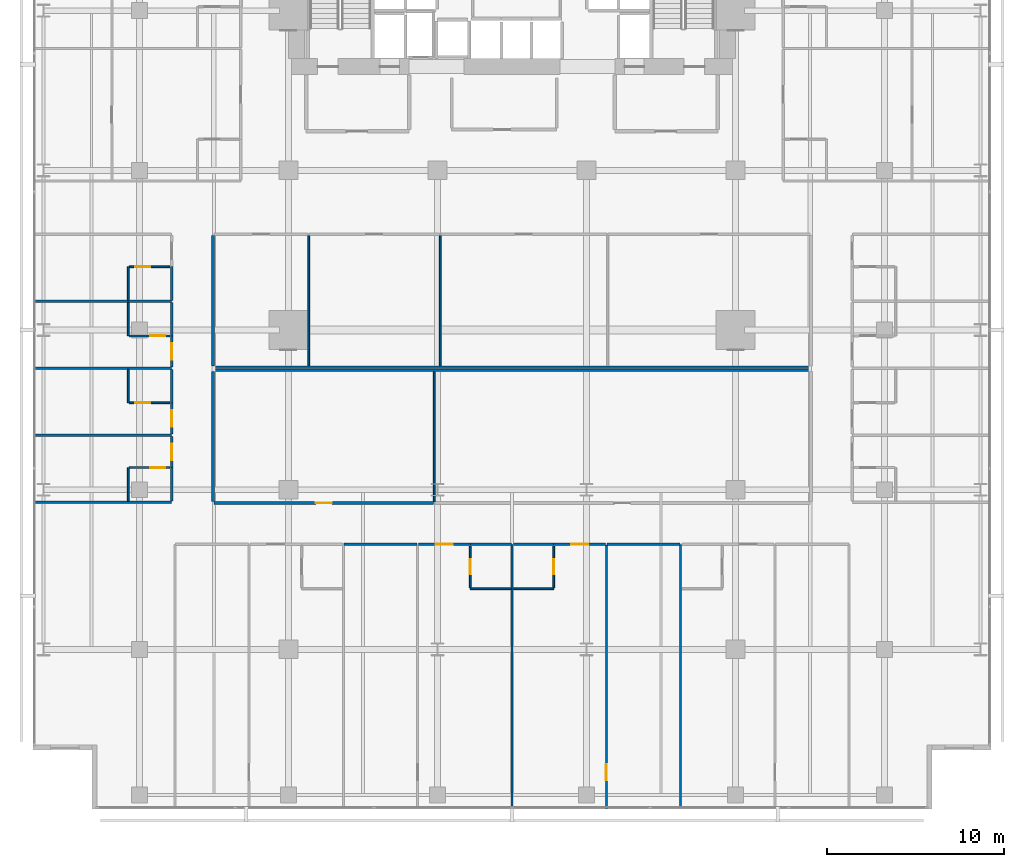
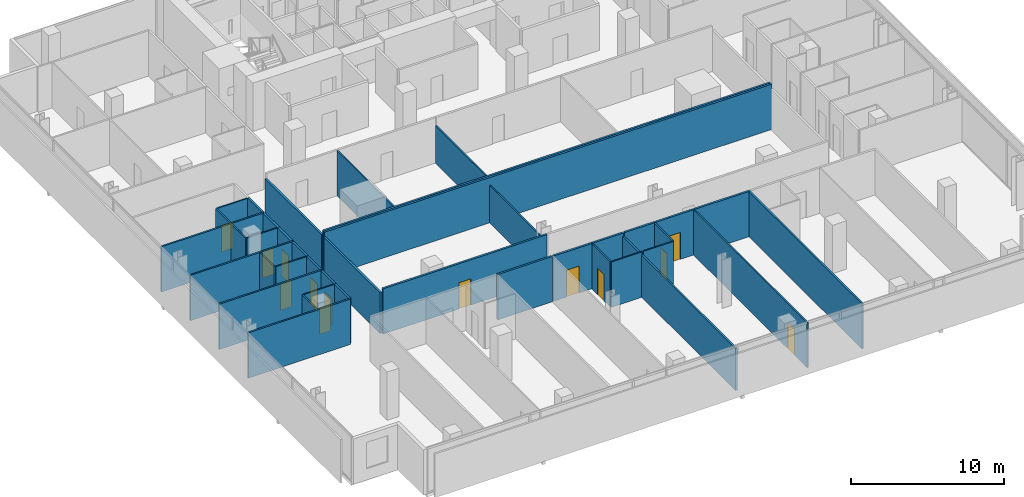
# One storey, part 33 of 40: 40 walls, 13 doors, 13 openings.
"""IFC4 building model written with IfcOpenShell, lengths in metres."""

from ifc_helpers import new_model, si_unit, direction, frame, frame_2d, origin, place, context, subcontext, project, spatial, rectangle, extrude, material, layer, layer_set, type_object, element, fill, save


model = new_model("IFC4")

# Units and contexts
model_context = context("Model", 3, precision=1e-05, world=origin(), true_north=direction((0.0, 1.0)))
body_context = subcontext(model_context, "Body", "Model", "MODEL_VIEW")
ifc_project = project(units=[si_unit("LENGTHUNIT", "METRE"), si_unit("AREAUNIT", "SQUARE_METRE"), si_unit("VOLUMEUNIT", "CUBIC_METRE"), si_unit("PLANEANGLEUNIT", "RADIAN"), si_unit("MASSUNIT", "GRAM", prefix="KILO")], contexts=[model_context])

# Site, building, storey
site_placement = place(None, origin())
site = spatial("IfcSite", under=ifc_project, at=site_placement, CompositionType="ELEMENT")
building_placement = place(site_placement, origin())
building = spatial("IfcBuilding", under=site, at=building_placement, Name="Maruvema Waterfront Hotel and Observation Tower", CompositionType="ELEMENT")
storey_placement = place(building_placement, frame((0.0, 0.0, 100.10009765625)))
storey = spatial("IfcBuildingStorey", under=building, at=storey_placement, Name="L24", CompositionType="ELEMENT", Elevation=100.10009765625)

# Walls
ifc_material_1 = material(Name="Twin-stud acoustic gypsum drywall", Category="gypsum")
ifc_layer_1 = layer(ifc_material_1, 0.14990234375, Name="Acoustic Corridor and Suite Demising Wall 150 mm")
ifc_layer_set_1 = layer_set([ifc_layer_1], Name="Twin-stud acoustic gypsum drywall")
wall_type_1 = type_object("IfcWallType", Name="Acoustic Corridor and Suite Demising Wall 150 mm", PredefinedType="PARTITIONING", material=ifc_layer_set_1)
wall_1_placement = place(storey_placement, frame((20.949951171875, 24.89990234375, 0.0), z_axis=(0.0, 0.0, 1.0), x_axis=(1.0, 0.0, 0.0)))
element("IfcWall", 1, at=wall_1_placement, inside=storey, type_object=wall_type_1, Name="L24 L24-INTN Back Wall 016", PredefinedType="PARTITIONING", context=body_context, shape_type="SweptSolid", body=[
    extrude(rectangle(XDim=33.699951171875, YDim=0.14990234375, at=frame_2d((16.85009765625, 0.0))), origin(), (0.0, 0.0, 1.0), 3.60986328125),
])
wall_2_placement = place(storey_placement, frame((20.949951171875, 24.97998046875, 0.0), z_axis=(0.0, 0.0, 1.0), x_axis=(0.0, 1.0, 0.0)))
element("IfcWall", 2, at=wall_2_placement, inside=storey, type_object=wall_type_1, Name="L24 L24-INTN West Wall 017", PredefinedType="PARTITIONING", context=body_context, shape_type="SweptSolid", body=[
    extrude(rectangle(XDim=7.340087890625, YDim=0.14990234375, at=frame_2d((3.669921875, 0.0))), origin(), (0.0, 0.0, 1.0), 3.2548828125),
])
wall_3_placement = place(storey_placement, frame((20.949951171875, 24.739990234375, 0.0), z_axis=(0.0, 0.0, 1.0), x_axis=(1.0, 0.0, 0.0)))
element("IfcWall", 3, at=wall_3_placement, inside=storey, type_object=wall_type_1, Name="L24 L24-INTS Back Wall 026", PredefinedType="PARTITIONING", context=body_context, shape_type="SweptSolid", body=[
    extrude(rectangle(XDim=33.699951171875, YDim=0.14990234375, at=frame_2d((16.85009765625, 0.0))), origin(), (0.0, 0.0, 1.0), 3.60986328125),
])
wall_4_placement = place(storey_placement, frame((20.949951171875, 17.330078125, 0.0), z_axis=(0.0, 0.0, 1.0), x_axis=(0.0, 1.0, 0.0)))
element("IfcWall", 4, at=wall_4_placement, inside=storey, type_object=wall_type_1, Name="L24 L24-INTS West Wall 027", PredefinedType="PARTITIONING", context=body_context, shape_type="SweptSolid", body=[
    extrude(rectangle(XDim=7.329833984375, YDim=0.14990234375, at=frame_2d((3.6650390625, 0.0))), origin(), (0.0, 0.0, 1.0), 3.2548828125),
])

# Wall, opening, door
wall_5_placement = place(storey_placement, frame((21.010009765625, 17.25, 0.0), z_axis=(0.0, 0.0, 1.0), x_axis=(1.0, 0.0, 0.0)))
wall_5 = element("IfcWall", 5, at=wall_5_placement, inside=storey, type_object=wall_type_1, Name="L24 L24-INTS Front 1 029", PredefinedType="PARTITIONING", context=body_context, shape_type="SweptSolid", body=[
    extrude(rectangle(XDim=12.37890625, YDim=0.14990234375, at=frame_2d((6.189453125, 0.0))), origin(), (0.0, 0.0, 1.0), 3.60986328125),
])
opening_1_placement = place(wall_5_placement, frame((5.739501953125, 0.0, 0.0)))
opening_1 = element("IfcOpeningElement", 6, at=opening_1_placement, cuts=wall_5, Name="Opening DR-090", PredefinedType="OPENING", context=body_context, shape_type="SweptSolid", body=[
    extrude(rectangle(XDim=0.89990234375, YDim=2.10009765625, at=frame_2d((0.449951171875, 1.050048828125))), frame((0.0, 0.0849609375, 0.0), z_axis=(0.0, -1.0, 0.0), x_axis=(1.0, 0.0, 0.0)), (0.0, 0.0, 1.0), 0.169921875),
])
ifc_material_2 = material(Name="Solid-core lacquered timber leaf", Category="wood")
door_type_1 = type_object("IfcDoorType", Name="Accessible Toilet and Room Door 900x2100 mm", OperationType="NOTDEFINED", PredefinedType="DOOR", material=ifc_material_2)
door_1_placement = place(opening_1_placement, frame((0.89990234375, 0.0, 0.0), z_axis=(0.0, 0.0, 1.0), x_axis=(-1.0, 0.0, 0.0)))
door_1 = element("IfcDoor", 7, at=door_1_placement, inside=storey, type_object=door_type_1, Name="L24 Private Dining Salon Door", OperationType="SINGLE_SWING_RIGHT", OverallHeight=2.10009765625, OverallWidth=0.89990234375, PredefinedType="DOOR", context=body_context, shape_type="SweptSolid", body=[
    extrude(rectangle(XDim=0.89990234375, YDim=2.10009765625, at=frame_2d((0.449951171875, 1.050048828125))), frame((0.0, 0.02490234375, 0.0), z_axis=(0.0, -1.0, 0.0), x_axis=(1.0, 0.0, 0.0)), (0.0, 0.0, 1.0), 0.050048828125),
])
fill(opening_1, door_1)

# Walls
wall_6_placement = place(storey_placement, frame((35.449951171875, 14.919921875, 0.0), z_axis=(0.0, 0.0, 1.0), x_axis=(1.0, 0.0, 0.0)))
element("IfcWall", 8, at=wall_6_placement, inside=storey, type_object=wall_type_1, Name="L24 Bath L24-S2 Back Wall 041", PredefinedType="PARTITIONING", context=body_context, shape_type="SweptSolid", body=[
    extrude(rectangle(XDim=2.330078125, YDim=0.14990234375, at=frame_2d((1.1650390625, 0.0))), origin(), (0.0, 0.0, 1.0), 3.60986328125),
])
wall_7_placement = place(storey_placement, frame((28.320068359375, 14.919921875, 0.0), z_axis=(0.0, 0.0, 1.0), x_axis=(1.0, 0.0, 0.0)))
element("IfcWall", 9, at=wall_7_placement, inside=storey, type_object=wall_type_1, Name="L24 Bedroom L24-S2 Back Wall 044", PredefinedType="PARTITIONING", context=body_context, shape_type="SweptSolid", body=[
    extrude(rectangle(XDim=4.119873046875, YDim=0.14990234375, at=frame_2d((2.06005859375, 0.0))), origin(), (0.0, 0.0, 1.0), 3.60986328125),
])

# Wall, opening, door
wall_8_placement = place(storey_placement, frame((32.52001953125, 14.919921875, 0.0), z_axis=(0.0, 0.0, 1.0), x_axis=(1.0, 0.0, 0.0)))
wall_8 = element("IfcWall", 10, at=wall_8_placement, inside=storey, type_object=wall_type_1, Name="L24 Unit L24-S2 Corridor Wall 045", PredefinedType="PARTITIONING", context=body_context, shape_type="SweptSolid", body=[
    extrude(rectangle(XDim=2.929931640625, YDim=0.14990234375, at=frame_2d((1.46484375, 0.0))), origin(), (0.0, 0.0, 1.0), 3.60986328125),
])
opening_2_placement = place(wall_8_placement, frame((0.989990234375, 0.0, 0.0)))
opening_2 = element("IfcOpeningElement", 11, at=opening_2_placement, cuts=wall_8, Name="Opening DR-095", PredefinedType="OPENING", context=body_context, shape_type="SweptSolid", body=[
    extrude(rectangle(XDim=0.949951171875, YDim=2.14990234375, at=frame_2d((0.47509765625, 1.074951171875))), frame((0.0, 0.0849609375, 0.0), z_axis=(0.0, -1.0, 0.0), x_axis=(1.0, 0.0, 0.0)), (0.0, 0.0, 1.0), 0.169921875),
])
ifc_material_3 = material(Name="Acoustic solid-core hardwood timber leaf", Category="wood")
door_type_2 = type_object("IfcDoorType", Name="Guestroom Entrance Fire Door 950x2150 mm", OperationType="NOTDEFINED", PredefinedType="DOOR", material=ifc_material_3)
door_2_placement = place(opening_2_placement, frame((0.949951171875, 0.0, 0.0), z_axis=(0.0, 0.0, 1.0), x_axis=(-1.0, 0.0, 0.0)))
door_2 = element("IfcDoor", 12, at=door_2_placement, inside=storey, type_object=door_type_2, Name="L24 Unit L24-S2 Entrance Door", OperationType="SINGLE_SWING_RIGHT", OverallHeight=2.14990234375, OverallWidth=0.949951171875, PredefinedType="DOOR", context=body_context, shape_type="SweptSolid", body=[
    extrude(rectangle(XDim=0.949951171875, YDim=2.14990234375, at=frame_2d((0.47509765625, 1.074951171875))), frame((0.0, 0.02490234375, 0.0), z_axis=(0.0, -1.0, 0.0), x_axis=(1.0, 0.0, 0.0)), (0.0, 0.0, 1.0), 0.050048828125),
])
fill(opening_2, door_2)

# Wall
wall_9_placement = place(storey_placement, frame((37.8798828125, 14.919921875, 0.0), z_axis=(0.0, 0.0, 1.0), x_axis=(1.0, 0.0, 0.0)))
element("IfcWall", 13, at=wall_9_placement, inside=storey, type_object=wall_type_1, Name="L24 Bath L24-S3 Back Wall 048", PredefinedType="PARTITIONING", context=body_context, shape_type="SweptSolid", body=[
    extrude(rectangle(XDim=2.27001953125, YDim=0.14990234375, at=frame_2d((1.135009765625, 0.0))), origin(), (0.0, 0.0, 1.0), 3.60986328125),
])

# Wall, opening, door
wall_10_placement = place(storey_placement, frame((40.14990234375, 14.919921875, 0.0), z_axis=(0.0, 0.0, 1.0), x_axis=(1.0, 0.0, 0.0)))
wall_10 = element("IfcWall", 14, at=wall_10_placement, inside=storey, type_object=wall_type_1, Name="L24 Unit L24-S3 Corridor Wall 051", PredefinedType="PARTITIONING", context=body_context, shape_type="SweptSolid", body=[
    extrude(rectangle(XDim=2.93017578125, YDim=0.14990234375, at=frame_2d((1.465087890625, 0.0))), origin(), (0.0, 0.0, 1.0), 3.60986328125),
])
opening_3_placement = place(wall_10_placement, frame((0.989990234375, 0.0, 0.0)))
opening_3 = element("IfcOpeningElement", 15, at=opening_3_placement, cuts=wall_10, Name="Opening DR-095", PredefinedType="OPENING", context=body_context, shape_type="SweptSolid", body=[
    extrude(rectangle(XDim=0.949951171875, YDim=2.14990234375, at=frame_2d((0.47509765625, 1.074951171875))), frame((0.0, 0.0849609375, 0.0), z_axis=(0.0, -1.0, 0.0), x_axis=(1.0, 0.0, 0.0)), (0.0, 0.0, 1.0), 0.169921875),
])
door_3_placement = place(opening_3_placement, frame((0.949951171875, 0.0, 0.0), z_axis=(0.0, 0.0, 1.0), x_axis=(-1.0, 0.0, 0.0)))
door_3 = element("IfcDoor", 16, at=door_3_placement, inside=storey, type_object=door_type_2, Name="L24 Unit L24-S3 Entrance Door", OperationType="SINGLE_SWING_LEFT", OverallHeight=2.14990234375, OverallWidth=0.949951171875, PredefinedType="DOOR", context=body_context, shape_type="SweptSolid", body=[
    extrude(rectangle(XDim=0.949951171875, YDim=2.14990234375, at=frame_2d((0.47509765625, 1.074951171875))), frame((0.0, 0.02490234375, 0.0), z_axis=(0.0, -1.0, 0.0), x_axis=(1.0, 0.0, 0.0)), (0.0, 0.0, 1.0), 0.050048828125),
])
fill(opening_3, door_3)

# Walls
wall_11_placement = place(storey_placement, frame((43.159912109375, 14.919921875, 0.0), z_axis=(0.0, 0.0, 1.0), x_axis=(1.0, 0.0, 0.0)))
element("IfcWall", 17, at=wall_11_placement, inside=storey, type_object=wall_type_1, Name="L24 Bedroom L24-S3 Back Wall 052", PredefinedType="PARTITIONING", context=body_context, shape_type="SweptSolid", body=[
    extrude(rectangle(XDim=4.1201171875, YDim=0.14990234375, at=frame_2d((2.06005859375, 0.0))), origin(), (0.0, 0.0, 1.0), 3.60986328125),
])
wall_12_placement = place(storey_placement, frame((18.6201171875, 17.360107421875, 0.0), z_axis=(0.0, 0.0, 1.0), x_axis=(0.0, 1.0, 0.0)))
element("IfcWall", 18, at=wall_12_placement, inside=storey, type_object=wall_type_1, Name="L24 Bath L24-W1 Wall 065", PredefinedType="PARTITIONING", context=body_context, shape_type="SweptSolid", body=[
    extrude(rectangle(XDim=1.889892578125, YDim=0.14990234375, at=frame_2d((0.94482421875, 0.0))), origin(), (0.0, 0.0, 1.0), 3.60986328125),
])

# Wall, opening, door
wall_13_placement = place(storey_placement, frame((18.6201171875, 19.25, 0.0), z_axis=(0.0, 0.0, 1.0), x_axis=(0.0, 1.0, 0.0)))
wall_13 = element("IfcWall", 19, at=wall_13_placement, inside=storey, type_object=wall_type_1, Name="L24 Room L24-W1 Corridor Wall 066", PredefinedType="PARTITIONING", context=body_context, shape_type="SweptSolid", body=[
    extrude(rectangle(XDim=1.760009765625, YDim=0.14990234375, at=frame_2d((0.8798828125, 0.0))), origin(), (0.0, 0.0, 1.0), 3.60986328125),
])
opening_4_placement = place(wall_13_placement, frame((0.405029296875, 0.0, 0.0)))
opening_4 = element("IfcOpeningElement", 20, at=opening_4_placement, cuts=wall_13, Name="Opening DR-095", PredefinedType="OPENING", context=body_context, shape_type="SweptSolid", body=[
    extrude(rectangle(XDim=0.949951171875, YDim=2.14990234375, at=frame_2d((0.47509765625, 1.074951171875))), frame((0.0, 0.0849609375, 0.0), z_axis=(0.0, -1.0, 0.0), x_axis=(1.0, 0.0, 0.0)), (0.0, 0.0, 1.0), 0.169921875),
])
door_4_placement = place(opening_4_placement, origin())
door_4 = element("IfcDoor", 21, at=door_4_placement, inside=storey, type_object=door_type_2, Name="L24 Room L24-W1 Entrance Door", OperationType="SINGLE_SWING_LEFT", OverallHeight=2.14990234375, OverallWidth=0.949951171875, PredefinedType="DOOR", context=body_context, shape_type="SweptSolid", body=[
    extrude(rectangle(XDim=0.949951171875, YDim=2.14990234375, at=frame_2d((0.47509765625, 1.074951171875))), frame((0.0, 0.02490234375, 0.0), z_axis=(0.0, -1.0, 0.0), x_axis=(1.0, 0.0, 0.0)), (0.0, 0.0, 1.0), 0.050048828125),
])
fill(opening_4, door_4)

wall_14_placement = place(storey_placement, frame((18.6201171875, 21.1298828125, 0.0), z_axis=(0.0, 0.0, 1.0), x_axis=(0.0, 1.0, 0.0)))
wall_14 = element("IfcWall", 22, at=wall_14_placement, inside=storey, type_object=wall_type_1, Name="L24 Room L24-W2 Corridor Wall 075", PredefinedType="PARTITIONING", context=body_context, shape_type="SweptSolid", body=[
    extrude(rectangle(XDim=1.77001953125, YDim=0.14990234375, at=frame_2d((0.885009765625, 0.0))), origin(), (0.0, 0.0, 1.0), 3.60986328125),
])
opening_5_placement = place(wall_14_placement, frame((0.409912109375, 0.0, 0.0)))
opening_5 = element("IfcOpeningElement", 23, at=opening_5_placement, cuts=wall_14, Name="Opening DR-095", PredefinedType="OPENING", context=body_context, shape_type="SweptSolid", body=[
    extrude(rectangle(XDim=0.949951171875, YDim=2.14990234375, at=frame_2d((0.47509765625, 1.074951171875))), frame((0.0, 0.0849609375, 0.0), z_axis=(0.0, -1.0, 0.0), x_axis=(1.0, 0.0, 0.0)), (0.0, 0.0, 1.0), 0.169921875),
])
door_5_placement = place(opening_5_placement, origin())
door_5 = element("IfcDoor", 24, at=door_5_placement, inside=storey, type_object=door_type_2, Name="L24 Room L24-W2 Entrance Door", OperationType="SINGLE_SWING_LEFT", OverallHeight=2.14990234375, OverallWidth=0.949951171875, PredefinedType="DOOR", context=body_context, shape_type="SweptSolid", body=[
    extrude(rectangle(XDim=0.949951171875, YDim=2.14990234375, at=frame_2d((0.47509765625, 1.074951171875))), frame((0.0, 0.02490234375, 0.0), z_axis=(0.0, -1.0, 0.0), x_axis=(1.0, 0.0, 0.0)), (0.0, 0.0, 1.0), 0.050048828125),
])
fill(opening_5, door_5)

# Wall
wall_15_placement = place(storey_placement, frame((18.6201171875, 22.89990234375, 0.0), z_axis=(0.0, 0.0, 1.0), x_axis=(0.0, 1.0, 0.0)))
element("IfcWall", 25, at=wall_15_placement, inside=storey, type_object=wall_type_1, Name="L24 Bath L24-W2 Wall 076", PredefinedType="PARTITIONING", context=body_context, shape_type="SweptSolid", body=[
    extrude(rectangle(XDim=1.89013671875, YDim=0.14990234375, at=frame_2d((0.945068359375, 0.0))), origin(), (0.0, 0.0, 1.0), 3.60986328125),
])

# Wall, opening, door
wall_16_placement = place(storey_placement, frame((18.6201171875, 24.909912109375, 0.0), z_axis=(0.0, 0.0, 1.0), x_axis=(0.0, 1.0, 0.0)))
wall_16 = element("IfcWall", 26, at=wall_16_placement, inside=storey, type_object=wall_type_1, Name="L24 Room L24-W3 Corridor Wall 085", PredefinedType="PARTITIONING", context=body_context, shape_type="SweptSolid", body=[
    extrude(rectangle(XDim=1.760009765625, YDim=0.14990234375, at=frame_2d((0.8798828125, 0.0))), origin(), (0.0, 0.0, 1.0), 3.60986328125),
])
opening_6_placement = place(wall_16_placement, frame((0.405029296875, 0.0, 0.0)))
opening_6 = element("IfcOpeningElement", 27, at=opening_6_placement, cuts=wall_16, Name="Opening DR-095", PredefinedType="OPENING", context=body_context, shape_type="SweptSolid", body=[
    extrude(rectangle(XDim=0.949951171875, YDim=2.14990234375, at=frame_2d((0.47509765625, 1.074951171875))), frame((0.0, 0.0849609375, 0.0), z_axis=(0.0, -1.0, 0.0), x_axis=(1.0, 0.0, 0.0)), (0.0, 0.0, 1.0), 0.169921875),
])
door_6_placement = place(opening_6_placement, origin())
door_6 = element("IfcDoor", 28, at=door_6_placement, inside=storey, type_object=door_type_2, Name="L24 Room L24-W3 Entrance Door", OperationType="SINGLE_SWING_LEFT", OverallHeight=2.14990234375, OverallWidth=0.949951171875, PredefinedType="DOOR", context=body_context, shape_type="SweptSolid", body=[
    extrude(rectangle(XDim=0.949951171875, YDim=2.14990234375, at=frame_2d((0.47509765625, 1.074951171875))), frame((0.0, 0.02490234375, 0.0), z_axis=(0.0, -1.0, 0.0), x_axis=(1.0, 0.0, 0.0)), (0.0, 0.0, 1.0), 0.050048828125),
])
fill(opening_6, door_6)

# Walls
for number, where, z_axis, x_axis, name in (
    (29, (18.6201171875, 26.669921875, 0.0), (0.0, 0.0, 1.0), (0.0, 1.0, 0.0), "L24 Bath L24-W3 Wall 086"),
    (30, (18.6201171875, 28.679931640625, 0.0), (0.0, 0.0, 1.0), (0.0, 1.0, 0.0), "L24 Bath L24-W4 Wall 095"),
):
    element("IfcWall", number, at=place(storey_placement, frame(where, z_axis=z_axis, x_axis=x_axis)), inside=storey, type_object=wall_type_1, Name=name, PredefinedType="PARTITIONING", context=body_context, shape_type="SweptSolid", body=[
        extrude(rectangle(XDim=1.89013671875, YDim=0.14990234375, at=frame_2d((0.945068359375, 0.0))), origin(), (0.0, 0.0, 1.0), 3.60986328125),
    ])
ifc_material_4 = material(Name="Moisture-resistant cement-board drywall", Category="gypsum")
ifc_layer_2 = layer(ifc_material_4, 0.10009765625, Name="En-Suite Moisture-Resistant Partition 100 mm")
ifc_layer_set_2 = layer_set([ifc_layer_2], Name="Moisture-resistant cement-board drywall")
wall_type_2 = type_object("IfcWallType", Name="En-Suite Moisture-Resistant Partition 100 mm", PredefinedType="PARTITIONING", material=ifc_layer_set_2)
wall_17_placement = place(storey_placement, frame((26.342041015625, 24.97998046875, 0.0), z_axis=(0.0, 0.0, 1.0), x_axis=(0.0, 1.0, 0.0)))
element("IfcWall", 31, at=wall_17_placement, inside=storey, type_object=wall_type_2, Name="L24 L24-INTN Split 1 020", PredefinedType="PARTITIONING", context=body_context, shape_type="SweptSolid", body=[
    extrude(rectangle(XDim=7.340087890625, YDim=0.10009765625, at=frame_2d((3.669921875, 0.0))), origin(), (0.0, 0.0, 1.0), 3.60986328125),
])
wall_18_placement = place(storey_placement, frame((33.756103515625, 24.97998046875, 0.0), z_axis=(0.0, 0.0, 1.0), x_axis=(0.0, 1.0, 0.0)))
element("IfcWall", 32, at=wall_18_placement, inside=storey, type_object=wall_type_2, Name="L24 L24-INTN Split 2 022", PredefinedType="PARTITIONING", context=body_context, shape_type="SweptSolid", body=[
    extrude(rectangle(XDim=7.340087890625, YDim=0.10009765625, at=frame_2d((3.669921875, 0.0))), origin(), (0.0, 0.0, 1.0), 2.9990234375),
])
wall_19_placement = place(storey_placement, frame((33.4189453125, 17.330078125, 0.0), z_axis=(0.0, 0.0, 1.0), x_axis=(0.0, 1.0, 0.0)))
element("IfcWall", 33, at=wall_19_placement, inside=storey, type_object=wall_type_2, Name="L24 L24-INTS Split 1 030", PredefinedType="PARTITIONING", context=body_context, shape_type="SweptSolid", body=[
    extrude(rectangle(XDim=7.329833984375, YDim=0.10009765625, at=frame_2d((3.6650390625, 0.0))), origin(), (0.0, 0.0, 1.0), 2.9990234375),
])
wall_20_placement = place(storey_placement, frame((35.449951171875, 12.419921875, 0.0), z_axis=(0.0, 0.0, 1.0), x_axis=(1.0, 0.0, 0.0)))
element("IfcWall", 34, at=wall_20_placement, inside=storey, type_object=wall_type_2, Name="L24 En-Suite L24-S2 South 042", PredefinedType="PARTITIONING", context=body_context, shape_type="SweptSolid", body=[
    extrude(rectangle(XDim=2.31005859375, YDim=0.10009765625, at=frame_2d((1.155029296875, 0.0))), origin(), (0.0, 0.0, 1.0), 3.60986328125),
])

# Wall, opening, door
wall_21_placement = place(storey_placement, frame((35.449951171875, 12.47998046875, 0.0), z_axis=(0.0, 0.0, 1.0), x_axis=(0.0, 1.0, 0.0)))
wall_21 = element("IfcWall", 35, at=wall_21_placement, inside=storey, type_object=wall_type_2, Name="L24 En-Suite L24-S2 West 043", PredefinedType="PARTITIONING", context=body_context, shape_type="SweptSolid", body=[
    extrude(rectangle(XDim=2.340087890625, YDim=0.10009765625, at=frame_2d((1.169921875, 0.0))), origin(), (0.0, 0.0, 1.0), 3.60986328125),
])
opening_7_placement = place(wall_21_placement, frame((0.7451171875, 0.0, 0.0)))
opening_7 = element("IfcOpeningElement", 36, at=opening_7_placement, cuts=wall_21, Name="Opening DR-085", PredefinedType="OPENING", context=body_context, shape_type="SweptSolid", body=[
    extrude(rectangle(XDim=0.85009765625, YDim=2.10009765625, at=frame_2d((0.425048828125, 1.050048828125))), frame((0.0, 0.06005859375, 0.0), z_axis=(0.0, -1.0, 0.0), x_axis=(1.0, 0.0, 0.0)), (0.0, 0.0, 1.0), 0.1201171875),
])
ifc_material_5 = material(Name="Moisture-resistant solid timber leaf", Category="wood")
door_type_3 = type_object("IfcDoorType", Name="En-Suite Bathroom Door 850x2100 mm", OperationType="NOTDEFINED", PredefinedType="DOOR", material=ifc_material_5)
door_7_placement = place(opening_7_placement, origin())
door_7 = element("IfcDoor", 37, at=door_7_placement, inside=storey, type_object=door_type_3, Name="L24 En-Suite L24-S2 Door", OperationType="SINGLE_SWING_LEFT", OverallHeight=2.10009765625, OverallWidth=0.85009765625, PredefinedType="DOOR", context=body_context, shape_type="SweptSolid", body=[
    extrude(rectangle(XDim=0.85009765625, YDim=2.10009765625, at=frame_2d((0.425048828125, 1.050048828125))), frame((0.0, 0.02490234375, 0.0), z_axis=(0.0, -1.0, 0.0), x_axis=(1.0, 0.0, 0.0)), (0.0, 0.0, 1.0), 0.050048828125),
])
fill(opening_7, door_7)

# Wall
wall_22_placement = place(storey_placement, frame((37.8798828125, 12.419921875, 0.0), z_axis=(0.0, 0.0, 1.0), x_axis=(1.0, 0.0, 0.0)))
element("IfcWall", 38, at=wall_22_placement, inside=storey, type_object=wall_type_2, Name="L24 En-Suite L24-S3 South 049", PredefinedType="PARTITIONING", context=body_context, shape_type="SweptSolid", body=[
    extrude(rectangle(XDim=2.27001953125, YDim=0.10009765625, at=frame_2d((1.135009765625, 0.0))), origin(), (0.0, 0.0, 1.0), 3.60986328125),
])

# Wall, opening, door
wall_23_placement = place(storey_placement, frame((40.14990234375, 12.47998046875, 0.0), z_axis=(0.0, 0.0, 1.0), x_axis=(0.0, 1.0, 0.0)))
wall_23 = element("IfcWall", 39, at=wall_23_placement, inside=storey, type_object=wall_type_2, Name="L24 En-Suite L24-S3 East 050", PredefinedType="PARTITIONING", context=body_context, shape_type="SweptSolid", body=[
    extrude(rectangle(XDim=2.340087890625, YDim=0.10009765625, at=frame_2d((1.169921875, 0.0))), origin(), (0.0, 0.0, 1.0), 3.60986328125),
])
opening_8_placement = place(wall_23_placement, frame((0.7451171875, 0.0, 0.0)))
opening_8 = element("IfcOpeningElement", 40, at=opening_8_placement, cuts=wall_23, Name="Opening DR-085", PredefinedType="OPENING", context=body_context, shape_type="SweptSolid", body=[
    extrude(rectangle(XDim=0.85009765625, YDim=2.10009765625, at=frame_2d((0.425048828125, 1.050048828125))), frame((0.0, 0.06005859375, 0.0), z_axis=(0.0, -1.0, 0.0), x_axis=(1.0, 0.0, 0.0)), (0.0, 0.0, 1.0), 0.1201171875),
])
door_8_placement = place(opening_8_placement, frame((0.85009765625, 0.0, 0.0), z_axis=(0.0, 0.0, 1.0), x_axis=(-1.0, 0.0, 0.0)))
door_8 = element("IfcDoor", 41, at=door_8_placement, inside=storey, type_object=door_type_3, Name="L24 En-Suite L24-S3 Door", OperationType="SINGLE_SWING_RIGHT", OverallHeight=2.10009765625, OverallWidth=0.85009765625, PredefinedType="DOOR", context=body_context, shape_type="SweptSolid", body=[
    extrude(rectangle(XDim=0.85009765625, YDim=2.10009765625, at=frame_2d((0.425048828125, 1.050048828125))), frame((0.0, 0.02490234375, 0.0), z_axis=(0.0, -1.0, 0.0), x_axis=(1.0, 0.0, 0.0)), (0.0, 0.0, 1.0), 0.050048828125),
])
fill(opening_8, door_8)

wall_24_placement = place(storey_placement, frame((43.1201171875, 0.030029296875, 0.0), z_axis=(0.0, 0.0, 1.0), x_axis=(0.0, 1.0, 0.0)))
wall_24 = element("IfcWall", 42, at=wall_24_placement, inside=storey, type_object=wall_type_2, Name="L24 Suite L24-S3 Split 053", PredefinedType="PARTITIONING", context=body_context, shape_type="SweptSolid", body=[
    extrude(rectangle(XDim=14.830078125, YDim=0.10009765625, at=frame_2d((7.4150390625, 0.0))), origin(), (0.0, 0.0, 1.0), 3.60986328125),
])
opening_9_placement = place(wall_24_placement, frame((1.60009765625, 0.0, 0.0)))
opening_9 = element("IfcOpeningElement", 43, at=opening_9_placement, cuts=wall_24, Name="Opening DR-090", PredefinedType="OPENING", context=body_context, shape_type="SweptSolid", body=[
    extrude(rectangle(XDim=0.89990234375, YDim=2.10009765625, at=frame_2d((0.449951171875, 1.050048828125))), frame((0.0, 0.06005859375, 0.0), z_axis=(0.0, -1.0, 0.0), x_axis=(1.0, 0.0, 0.0)), (0.0, 0.0, 1.0), 0.1201171875),
])
door_9_placement = place(opening_9_placement, origin())
door_9 = element("IfcDoor", 44, at=door_9_placement, inside=storey, type_object=door_type_1, Name="L24 Suite L24-S3 Bedroom Door", OperationType="SINGLE_SWING_RIGHT", OverallHeight=2.10009765625, OverallWidth=0.89990234375, PredefinedType="DOOR", context=body_context, shape_type="SweptSolid", body=[
    extrude(rectangle(XDim=0.89990234375, YDim=2.10009765625, at=frame_2d((0.449951171875, 1.050048828125))), frame((0.0, 0.02490234375, 0.0), z_axis=(0.0, -1.0, 0.0), x_axis=(1.0, 0.0, 0.0)), (0.0, 0.0, 1.0), 0.050048828125),
])
fill(opening_9, door_9)

# Wall
wall_25_placement = place(storey_placement, frame((16.169921875, 17.360107421875, 0.0), z_axis=(0.0, 0.0, 1.0), x_axis=(0.0, 1.0, 0.0)))
element("IfcWall", 45, at=wall_25_placement, inside=storey, type_object=wall_type_2, Name="L24 En-Suite L24-W1 W 067", PredefinedType="PARTITIONING", context=body_context, shape_type="SweptSolid", body=[
    extrude(rectangle(XDim=1.889892578125, YDim=0.10009765625, at=frame_2d((0.94482421875, 0.0))), origin(), (0.0, 0.0, 1.0), 3.60986328125),
])

# Wall, opening, door
wall_26_placement = place(storey_placement, frame((16.219970703125, 19.25, 0.0), z_axis=(0.0, 0.0, 1.0), x_axis=(1.0, 0.0, 0.0)))
wall_26 = element("IfcWall", 46, at=wall_26_placement, inside=storey, type_object=wall_type_2, Name="L24 En-Suite L24-W1 N 068", PredefinedType="PARTITIONING", context=body_context, shape_type="SweptSolid", body=[
    extrude(rectangle(XDim=2.300048828125, YDim=0.10009765625, at=frame_2d((1.14990234375, 0.0))), origin(), (0.0, 0.0, 1.0), 3.60986328125),
])
opening_10_placement = place(wall_26_placement, frame((1.18994140625, 0.0, 0.0)))
opening_10 = element("IfcOpeningElement", 47, at=opening_10_placement, cuts=wall_26, Name="Opening DR-085", PredefinedType="OPENING", context=body_context, shape_type="SweptSolid", body=[
    extrude(rectangle(XDim=0.85009765625, YDim=2.10009765625, at=frame_2d((0.425048828125, 1.050048828125))), frame((0.0, 0.06005859375, 0.0), z_axis=(0.0, -1.0, 0.0), x_axis=(1.0, 0.0, 0.0)), (0.0, 0.0, 1.0), 0.1201171875),
])
door_10_placement = place(opening_10_placement, origin())
door_10 = element("IfcDoor", 48, at=door_10_placement, inside=storey, type_object=door_type_3, Name="L24 En-Suite L24-W1 Door", OperationType="SINGLE_SWING_RIGHT", OverallHeight=2.10009765625, OverallWidth=0.85009765625, PredefinedType="DOOR", context=body_context, shape_type="SweptSolid", body=[
    extrude(rectangle(XDim=0.85009765625, YDim=2.10009765625, at=frame_2d((0.425048828125, 1.050048828125))), frame((0.0, 0.02490234375, 0.0), z_axis=(0.0, -1.0, 0.0), x_axis=(1.0, 0.0, 0.0)), (0.0, 0.0, 1.0), 0.050048828125),
])
fill(opening_10, door_10)

# Wall
wall_27_placement = place(storey_placement, frame((16.169921875, 22.89990234375, 0.0), z_axis=(0.0, 0.0, 1.0), x_axis=(0.0, 1.0, 0.0)))
element("IfcWall", 49, at=wall_27_placement, inside=storey, type_object=wall_type_2, Name="L24 En-Suite L24-W2 W 077", PredefinedType="PARTITIONING", context=body_context, shape_type="SweptSolid", body=[
    extrude(rectangle(XDim=1.89013671875, YDim=0.10009765625, at=frame_2d((0.945068359375, 0.0))), origin(), (0.0, 0.0, 1.0), 3.60986328125),
])

# Wall, opening, door
wall_28_placement = place(storey_placement, frame((16.219970703125, 22.89990234375, 0.0), z_axis=(0.0, 0.0, 1.0), x_axis=(1.0, 0.0, 0.0)))
wall_28 = element("IfcWall", 50, at=wall_28_placement, inside=storey, type_object=wall_type_2, Name="L24 En-Suite L24-W2 S 078", PredefinedType="PARTITIONING", context=body_context, shape_type="SweptSolid", body=[
    extrude(rectangle(XDim=2.300048828125, YDim=0.10009765625, at=frame_2d((1.14990234375, 0.0))), origin(), (0.0, 0.0, 1.0), 3.60986328125),
])
opening_11_placement = place(wall_28_placement, frame((0.35009765625, 0.0, 0.0)))
opening_11 = element("IfcOpeningElement", 51, at=opening_11_placement, cuts=wall_28, Name="Opening DR-085", PredefinedType="OPENING", context=body_context, shape_type="SweptSolid", body=[
    extrude(rectangle(XDim=0.85009765625, YDim=2.10009765625, at=frame_2d((0.425048828125, 1.050048828125))), frame((0.0, 0.06005859375, 0.0), z_axis=(0.0, -1.0, 0.0), x_axis=(1.0, 0.0, 0.0)), (0.0, 0.0, 1.0), 0.1201171875),
])
door_11_placement = place(opening_11_placement, frame((0.85009765625, 0.0, 0.0), z_axis=(0.0, 0.0, 1.0), x_axis=(-1.0, 0.0, 0.0)))
door_11 = element("IfcDoor", 52, at=door_11_placement, inside=storey, type_object=door_type_3, Name="L24 En-Suite L24-W2 Door", OperationType="SINGLE_SWING_RIGHT", OverallHeight=2.10009765625, OverallWidth=0.85009765625, PredefinedType="DOOR", context=body_context, shape_type="SweptSolid", body=[
    extrude(rectangle(XDim=0.85009765625, YDim=2.10009765625, at=frame_2d((0.425048828125, 1.050048828125))), frame((0.0, 0.02490234375, 0.0), z_axis=(0.0, -1.0, 0.0), x_axis=(1.0, 0.0, 0.0)), (0.0, 0.0, 1.0), 0.050048828125),
])
fill(opening_11, door_11)

# Wall
wall_29_placement = place(storey_placement, frame((16.169921875, 26.669921875, 0.0), z_axis=(0.0, 0.0, 1.0), x_axis=(0.0, 1.0, 0.0)))
element("IfcWall", 53, at=wall_29_placement, inside=storey, type_object=wall_type_2, Name="L24 En-Suite L24-W3 W 087", PredefinedType="PARTITIONING", context=body_context, shape_type="SweptSolid", body=[
    extrude(rectangle(XDim=1.89013671875, YDim=0.10009765625, at=frame_2d((0.945068359375, 0.0))), origin(), (0.0, 0.0, 1.0), 3.60986328125),
])

# Wall, opening, door
wall_30_placement = place(storey_placement, frame((16.219970703125, 26.669921875, 0.0), z_axis=(0.0, 0.0, 1.0), x_axis=(1.0, 0.0, 0.0)))
wall_30 = element("IfcWall", 54, at=wall_30_placement, inside=storey, type_object=wall_type_2, Name="L24 En-Suite L24-W3 S 088", PredefinedType="PARTITIONING", context=body_context, shape_type="SweptSolid", body=[
    extrude(rectangle(XDim=2.300048828125, YDim=0.10009765625, at=frame_2d((1.14990234375, 0.0))), origin(), (0.0, 0.0, 1.0), 3.60986328125),
])
opening_12_placement = place(wall_30_placement, frame((1.18994140625, 0.0, 0.0)))
opening_12 = element("IfcOpeningElement", 55, at=opening_12_placement, cuts=wall_30, Name="Opening DR-085", PredefinedType="OPENING", context=body_context, shape_type="SweptSolid", body=[
    extrude(rectangle(XDim=0.85009765625, YDim=2.10009765625, at=frame_2d((0.425048828125, 1.050048828125))), frame((0.0, 0.06005859375, 0.0), z_axis=(0.0, -1.0, 0.0), x_axis=(1.0, 0.0, 0.0)), (0.0, 0.0, 1.0), 0.1201171875),
])
door_12_placement = place(opening_12_placement, frame((0.85009765625, 0.0, 0.0), z_axis=(0.0, 0.0, 1.0), x_axis=(-1.0, 0.0, 0.0)))
door_12 = element("IfcDoor", 56, at=door_12_placement, inside=storey, type_object=door_type_3, Name="L24 En-Suite L24-W3 Door", OperationType="SINGLE_SWING_RIGHT", OverallHeight=2.10009765625, OverallWidth=0.85009765625, PredefinedType="DOOR", context=body_context, shape_type="SweptSolid", body=[
    extrude(rectangle(XDim=0.85009765625, YDim=2.10009765625, at=frame_2d((0.425048828125, 1.050048828125))), frame((0.0, 0.02490234375, 0.0), z_axis=(0.0, -1.0, 0.0), x_axis=(1.0, 0.0, 0.0)), (0.0, 0.0, 1.0), 0.050048828125),
])
fill(opening_12, door_12)

# Wall
wall_31_placement = place(storey_placement, frame((16.169921875, 28.679931640625, 0.0), z_axis=(0.0, 0.0, 1.0), x_axis=(0.0, 1.0, 0.0)))
element("IfcWall", 57, at=wall_31_placement, inside=storey, type_object=wall_type_2, Name="L24 En-Suite L24-W4 W 097", PredefinedType="PARTITIONING", context=body_context, shape_type="SweptSolid", body=[
    extrude(rectangle(XDim=1.89013671875, YDim=0.10009765625, at=frame_2d((0.945068359375, 0.0))), origin(), (0.0, 0.0, 1.0), 3.60986328125),
])

# Wall, opening, door
wall_32_placement = place(storey_placement, frame((16.219970703125, 30.570068359375, 0.0), z_axis=(0.0, 0.0, 1.0), x_axis=(1.0, 0.0, 0.0)))
wall_32 = element("IfcWall", 58, at=wall_32_placement, inside=storey, type_object=wall_type_2, Name="L24 En-Suite L24-W4 N 098", PredefinedType="PARTITIONING", context=body_context, shape_type="SweptSolid", body=[
    extrude(rectangle(XDim=2.300048828125, YDim=0.10009765625, at=frame_2d((1.14990234375, 0.0))), origin(), (0.0, 0.0, 1.0), 3.60986328125),
])
opening_13_placement = place(wall_32_placement, frame((0.35009765625, 0.0, 0.0)))
opening_13 = element("IfcOpeningElement", 59, at=opening_13_placement, cuts=wall_32, Name="Opening DR-085", PredefinedType="OPENING", context=body_context, shape_type="SweptSolid", body=[
    extrude(rectangle(XDim=0.85009765625, YDim=2.10009765625, at=frame_2d((0.425048828125, 1.050048828125))), frame((0.0, 0.06005859375, 0.0), z_axis=(0.0, -1.0, 0.0), x_axis=(1.0, 0.0, 0.0)), (0.0, 0.0, 1.0), 0.1201171875),
])
door_13_placement = place(opening_13_placement, origin())
door_13 = element("IfcDoor", 60, at=door_13_placement, inside=storey, type_object=door_type_3, Name="L24 En-Suite L24-W4 Door", OperationType="SINGLE_SWING_RIGHT", OverallHeight=2.10009765625, OverallWidth=0.85009765625, PredefinedType="DOOR", context=body_context, shape_type="SweptSolid", body=[
    extrude(rectangle(XDim=0.85009765625, YDim=2.10009765625, at=frame_2d((0.425048828125, 1.050048828125))), frame((0.0, 0.02490234375, 0.0), z_axis=(0.0, -1.0, 0.0), x_axis=(1.0, 0.0, 0.0)), (0.0, 0.0, 1.0), 0.050048828125),
])
fill(opening_13, door_13)

# Walls
ifc_material_6 = material(Name="Acoustic gypsum plasterboard drywall", Category="gypsum")
ifc_layer_3 = layer(ifc_material_6, 0.125, Name="Guestroom Acoustic Demising Wall 125 mm")
ifc_layer_set_3 = layer_set([ifc_layer_3], Name="Acoustic gypsum plasterboard drywall")
wall_type_3 = type_object("IfcWallType", Name="Guestroom Acoustic Demising Wall 125 mm", PredefinedType="PARTITIONING", material=ifc_layer_set_3)
wall_33_placement = place(storey_placement, frame((37.800048828125, 0.10009765625, 0.0), z_axis=(0.0, 0.0, 1.0), x_axis=(0.0, 1.0, 0.0)))
element("IfcWall", 61, at=wall_33_placement, inside=storey, type_object=wall_type_3, Name="L24 S Demising 3 047", PredefinedType="PARTITIONING", context=body_context, shape_type="SweptSolid", body=[
    extrude(rectangle(XDim=14.81982421875, YDim=0.125, at=frame_2d((7.409912109375, 0.0))), origin(), (0.0, 0.0, 1.0), 3.351806640625),
])
wall_34_placement = place(storey_placement, frame((47.300048828125, 0.10009765625, 0.0), z_axis=(0.0, 0.0, 1.0), x_axis=(0.0, 1.0, 0.0)))
element("IfcWall", 62, at=wall_34_placement, inside=storey, type_object=wall_type_3, Name="L24 S Demising 4 054", PredefinedType="PARTITIONING", context=body_context, shape_type="SweptSolid", body=[
    extrude(rectangle(XDim=14.81982421875, YDim=0.125, at=frame_2d((7.409912109375, 0.0))), origin(), (0.0, 0.0, 1.0), 3.60986328125),
])
for number, where, z_axis, x_axis, name in (
    (63, (10.89990234375, 17.300048828125, 0.0), (0.0, 0.0, 1.0), (1.0, 0.0, 0.0), "L24 W Bot End 061"),
    (64, (10.89990234375, 21.070068359375, 0.0), (0.0, 0.0, 1.0), (1.0, 0.0, 0.0), "L24 W Demising 2 073"),
    (65, (10.89990234375, 24.85009765625, 0.0), (0.0, 0.0, 1.0), (1.0, 0.0, 0.0), "L24 W Demising 3 083"),
    (66, (10.89990234375, 28.6201171875, 0.0), (0.0, 0.0, 1.0), (1.0, 0.0, 0.0), "L24 W Demising 4 093"),
):
    element("IfcWall", number, at=place(storey_placement, frame(where, z_axis=z_axis, x_axis=x_axis)), inside=storey, type_object=wall_type_3, Name=name, PredefinedType="PARTITIONING", context=body_context, shape_type="SweptSolid", body=[
        extrude(rectangle(XDim=7.72021484375, YDim=0.125, at=frame_2d((3.860107421875, 0.0))), origin(), (0.0, 0.0, 1.0), 3.60986328125),
    ])

save(model, "model.ifc")
